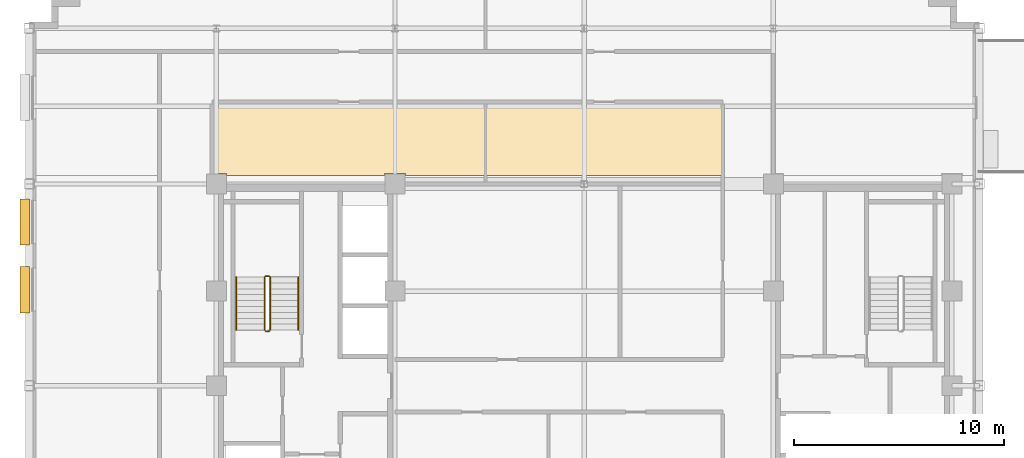
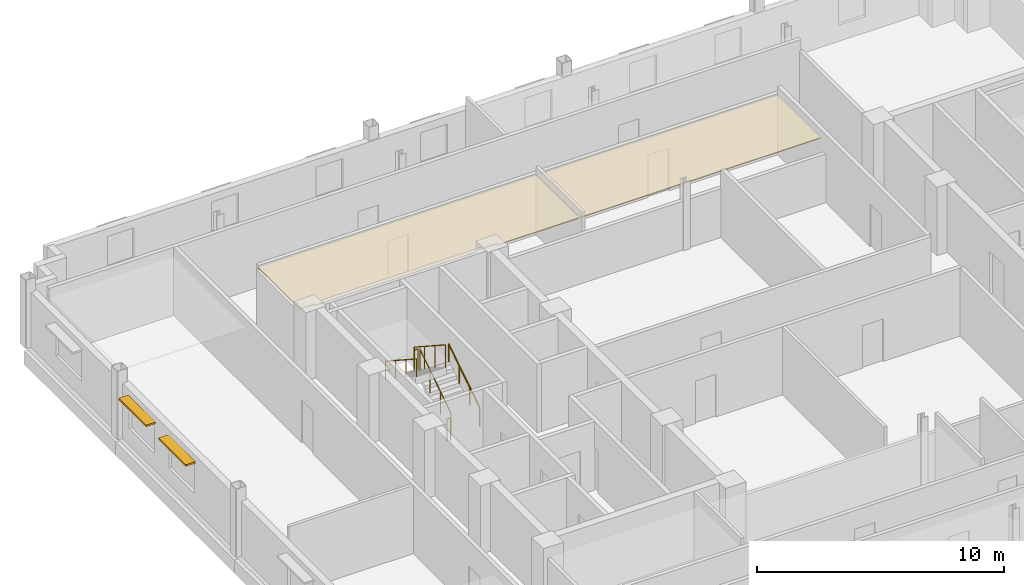
# One storey, part 11 of 13: 6 railings, 2 coverings, 2 shading devices.
"""IFC4 building model written with IfcOpenShell, lengths in metres."""

from ifc_helpers import new_model, si_unit, direction, frame, origin, origin_2d, place, context, subcontext, project, spatial, polyline, rectangle, circle, outline, extrude, source, transform, mapped, material, layer, layer_set, type_object, type_shapes, element, save


model = new_model("IFC4")

# Units and contexts
model_context = context("Model", 3, precision=1e-05, world=origin(), true_north=direction((0.0, 1.0)))
body_context = subcontext(model_context, "Body", "Model", "MODEL_VIEW")
ifc_project = project(units=[si_unit("LENGTHUNIT", "METRE"), si_unit("AREAUNIT", "SQUARE_METRE"), si_unit("VOLUMEUNIT", "CUBIC_METRE"), si_unit("PLANEANGLEUNIT", "RADIAN"), si_unit("MASSUNIT", "GRAM", prefix="KILO")], contexts=[model_context])

# Site, building, storey
site_placement = place(None, origin())
site = spatial("IfcSite", under=ifc_project, at=site_placement, CompositionType="ELEMENT")
building_placement = place(site_placement, origin())
building = spatial("IfcBuilding", under=site, at=building_placement, Name="Nuvemarco Arch Tower", CompositionType="ELEMENT")
storey_placement = place(building_placement, frame((0.0, 0.0, 216.449951171875)))
storey = spatial("IfcBuildingStorey", under=building, at=storey_placement, Name="L57", CompositionType="ELEMENT", Elevation=216.449951171875)

# Coverings
ifc_material_1 = material(Name="Mineral acoustic ceiling tile")
ifc_layer = layer(ifc_material_1, 0.0400390625, Name="COV-ACOUSTIC-CLG")
ifc_layer_set = layer_set([ifc_layer], Name="Mineral acoustic ceiling tile")
covering_type = type_object("IfcCoveringType", Name="COV-ACOUSTIC-CLG", PredefinedType="CEILING", material=ifc_layer_set)
covering_1_placement = place(storey_placement, frame((0.0, 0.0, 2.85009765625)))
element("IfcCovering", 1, at=covering_1_placement, inside=storey, type_object=covering_type, Name="L57 suspended acoustic ceiling 5", PredefinedType="CEILING", context=body_context, shape_type="SweptSolid", body=[
    extrude(outline(polyline([(-4.68994140625, 13.5), (-4.68994140625, 10.0), (-8.510009765625, 10.0), (-8.510009765625, 10.090087890625), (-9.489990234375, 10.090087890625), (-9.489990234375, 10.0), (-17.010009765625, 10.0), (-17.010009765625, 10.090087890625), (-17.699951171875, 10.090087890625), (-17.699951171875, 13.5), (-4.68994140625, 13.5)])), origin(), (0.0, 0.0, 1.0), 0.0400390625),
])
covering_2_placement = place(storey_placement, frame((0.0, 0.0, 2.85009765625)))
element("IfcCovering", 2, at=covering_2_placement, inside=storey, type_object=covering_type, Name="L57 suspended acoustic ceiling 7", PredefinedType="CEILING", context=body_context, shape_type="SweptSolid", body=[
    extrude(outline(polyline([(-4.68994140625, 13.5), (6.60009765625, 13.5), (6.60009765625, 10.0), (-4.68994140625, 10.0), (-4.68994140625, 13.5)])), origin(), (0.0, 0.0, 1.0), 0.0400390625),
])

# Railings
ifc_material_2 = material(Name="Brushed stainless steel handrail", Category="steel")
railing_type_1 = type_object("IfcRailingType", Name="RL-HANDRAIL-900", PredefinedType="HANDRAIL", material=ifc_material_2)
railing_1_placement = place(storey_placement, frame((-13.590087890625, 2.64990234375, 0.1826171875)))
element("IfcRailing", 3, at=railing_1_placement, inside=storey, type_object=railing_type_1, Name="L57 ST-1 stair handrail 1", PredefinedType="HANDRAIL", context=body_context, shape_type="SweptSolid", body=[
    extrude(circle(Radius=0.02392578125, at=origin_2d()), frame((0.0, 0.0, 0.8759765625), z_axis=(0.0, 0.837786554691, 0.545997883492), x_axis=(-1.0, 0.0, 0.0)), (0.0, 0.0, 1.0), 3.008056640625),
    extrude(circle(Radius=0.02099609375, at=origin_2d()), origin(), (0.0, 0.0, 1.0), 0.851806640625),
    extrude(circle(Radius=0.02099609375, at=origin_2d()), frame((0.0, 0.840087890625, 0.54736328125)), (0.0, 0.0, 1.0), 0.851806640625),
    extrude(circle(Radius=0.02099609375, at=origin_2d()), frame((0.0, 1.679931640625, 1.094970703125)), (0.0, 0.0, 1.0), 0.851806640625),
    extrude(circle(Radius=0.02099609375, at=origin_2d()), frame((0.0, 2.52001953125, 1.642333984375)), (0.0, 0.0, 1.0), 0.851806640625),
])
railing_2_placement = place(storey_placement, frame((-16.550048828125, 5.169921875, 2.007568359375)))
element("IfcRailing", 4, at=railing_2_placement, inside=storey, type_object=railing_type_1, Name="L57 ST-1 stair handrail 2", PredefinedType="HANDRAIL", context=body_context, shape_type="SweptSolid", body=[
    extrude(circle(Radius=0.02392578125, at=origin_2d()), frame((0.0, 0.0, 0.8759765625), z_axis=(0.0, -0.837749427056, 0.546054848405), x_axis=(1.0, 0.0, 0.0)), (0.0, 0.0, 1.0), 3.008056640625),
    extrude(circle(Radius=0.02099609375, at=origin_2d()), origin(), (0.0, 0.0, 1.0), 0.851806640625),
    extrude(circle(Radius=0.02099609375, at=origin_2d()), frame((0.0, -0.840087890625, 0.547607421875)), (0.0, 0.0, 1.0), 0.851806640625),
    extrude(circle(Radius=0.02099609375, at=origin_2d()), frame((0.0, -1.679931640625, 1.094970703125)), (0.0, 0.0, 1.0), 0.851806640625),
    extrude(circle(Radius=0.02099609375, at=origin_2d()), frame((0.0, -2.52001953125, 1.642578125)), (0.0, 0.0, 1.0), 0.851806640625),
])
ifc_material_3 = material(Name="Painted balustrade steel S355", Category="steel")
railing_type_2 = type_object("IfcRailingType", Name="RL-STAIR-GUARD", PredefinedType="GUARDRAIL", material=ifc_material_3)
railing_3_placement = place(storey_placement, frame((-14.93994140625, 2.64990234375, 0.1826171875)))
element("IfcRailing", 5, at=railing_3_placement, inside=storey, type_object=railing_type_2, Name="L57 ST-1 stair guard 1", PredefinedType="GUARDRAIL", context=body_context, shape_type="SweptSolid", body=[
    extrude(circle(Radius=0.02392578125, at=origin_2d()), frame((0.0, 0.0, 1.09619140625), z_axis=(0.0, 0.837786554691, 0.545997883492), x_axis=(-1.0, 0.0, 0.0)), (0.0, 0.0, 1.0), 3.008056640625),
    extrude(circle(Radius=0.02099609375, at=origin_2d()), origin(), (0.0, 0.0, 1.0), 1.072021484375),
    extrude(circle(Radius=0.02099609375, at=origin_2d()), frame((0.0, 0.840087890625, 0.54736328125)), (0.0, 0.0, 1.0), 1.072021484375),
    extrude(circle(Radius=0.02099609375, at=origin_2d()), frame((0.0, 1.679931640625, 1.094970703125)), (0.0, 0.0, 1.0), 1.072021484375),
    extrude(circle(Radius=0.02099609375, at=origin_2d()), frame((0.0, 2.52001953125, 1.642333984375)), (0.0, 0.0, 1.0), 1.072021484375),
])
railing_4_placement = place(storey_placement, frame((-14.989990234375, 5.219970703125, 1.824951171875)))
element("IfcRailing", 6, at=railing_4_placement, inside=storey, type_object=railing_type_2, Name="L57 ST-1 stair guard 2", PredefinedType="GUARDRAIL", context=body_context, shape_type="SweptSolid", body=[
    extrude(circle(Radius=0.02392578125, at=origin_2d()), frame((0.0, 0.0, 1.09619140625), z_axis=(-1.0, 0.0, 0.0), x_axis=(0.0, -1.0, 0.0)), (0.0, 0.0, 1.0), 0.159912109375),
    extrude(circle(Radius=0.02099609375, at=origin_2d()), origin(), (0.0, 0.0, 1.0), 1.072021484375),
    extrude(circle(Radius=0.02099609375, at=origin_2d()), frame((-0.159912109375, 0.0, 0.0)), (0.0, 0.0, 1.0), 1.072021484375),
])
railing_5_placement = place(storey_placement, frame((-15.199951171875, 5.169921875, 2.007568359375)))
element("IfcRailing", 7, at=railing_5_placement, inside=storey, type_object=railing_type_2, Name="L57 ST-1 stair guard 3", PredefinedType="GUARDRAIL", context=body_context, shape_type="SweptSolid", body=[
    extrude(circle(Radius=0.02392578125, at=origin_2d()), frame((0.0, 0.0, 1.09619140625), z_axis=(0.0, -0.837749427056, 0.546054848405), x_axis=(1.0, 0.0, 0.0)), (0.0, 0.0, 1.0), 3.008056640625),
    extrude(circle(Radius=0.02099609375, at=origin_2d()), origin(), (0.0, 0.0, 1.0), 1.072021484375),
    extrude(circle(Radius=0.02099609375, at=origin_2d()), frame((0.0, -0.840087890625, 0.547607421875)), (0.0, 0.0, 1.0), 1.072021484375),
    extrude(circle(Radius=0.02099609375, at=origin_2d()), frame((0.0, -1.679931640625, 1.094970703125)), (0.0, 0.0, 1.0), 1.072021484375),
    extrude(circle(Radius=0.02099609375, at=origin_2d()), frame((0.0, -2.52001953125, 1.642578125)), (0.0, 0.0, 1.0), 1.072021484375),
])
railing_6_placement = place(storey_placement, frame((-14.989990234375, 2.60009765625, 0.0)))
element("IfcRailing", 8, at=railing_6_placement, inside=storey, type_object=railing_type_2, Name="L57 ST-1 stair guard 4", PredefinedType="GUARDRAIL", context=body_context, shape_type="SweptSolid", body=[
    extrude(circle(Radius=0.02392578125, at=origin_2d()), frame((0.0, 0.0, 1.09619140625), z_axis=(-1.0, 0.0, 0.0), x_axis=(0.0, -1.0, 0.0)), (0.0, 0.0, 1.0), 0.159912109375),
    extrude(circle(Radius=0.02099609375, at=origin_2d()), origin(), (0.0, 0.0, 1.0), 1.072021484375),
    extrude(circle(Radius=0.02099609375, at=origin_2d()), frame((-0.159912109375, 0.0, 0.0)), (0.0, 0.0, 1.0), 1.072021484375),
])

# Shading devices
ifc_material_4 = material(Name="Anodised aluminium 6063-T6", Category="aluminium")
shading_device_type = type_object("IfcShadingDeviceType", Name="SHD-BRISE-SOLEIL", PredefinedType="USERDEFINED", material=ifc_material_4)
shared_shape = source(origin(), body_context, "Body", "SweptSolid", [
    extrude(rectangle(XDim=2.199951171875, YDim=0.449951171875, at=origin_2d()), origin(), (0.0, 0.0, 1.0), 0.080078125),
])
type_shapes(shading_device_type, [shared_shape])
for number, where, z_axis, x_axis, name in (
    (9, (-26.614990234375, 4.569580078125, 2.324951171875), (0.0, 0.0, 1.0), (0.0, 1.0, 0.0), "L57 horizontal brise-soleil sunshade"),
    (10, (-26.614990234375, 7.789306640625, 2.324951171875), (0.0, 0.0, 1.0), (0.0, 1.0, 0.0), "L57 horizontal brise-soleil sunshade"),
):
    element("IfcShadingDevice", number, at=place(storey_placement, frame(where, z_axis=z_axis, x_axis=x_axis)), inside=storey, type_object=shading_device_type, Name=name, ObjectType="SUNSHADE", PredefinedType="USERDEFINED", context=body_context, shape_type="MappedRepresentation", body=[
        mapped(shared_shape, transform((0.0, 0.0, 0.0), scale=1.0)),
    ])

save(model, "model.ifc")
